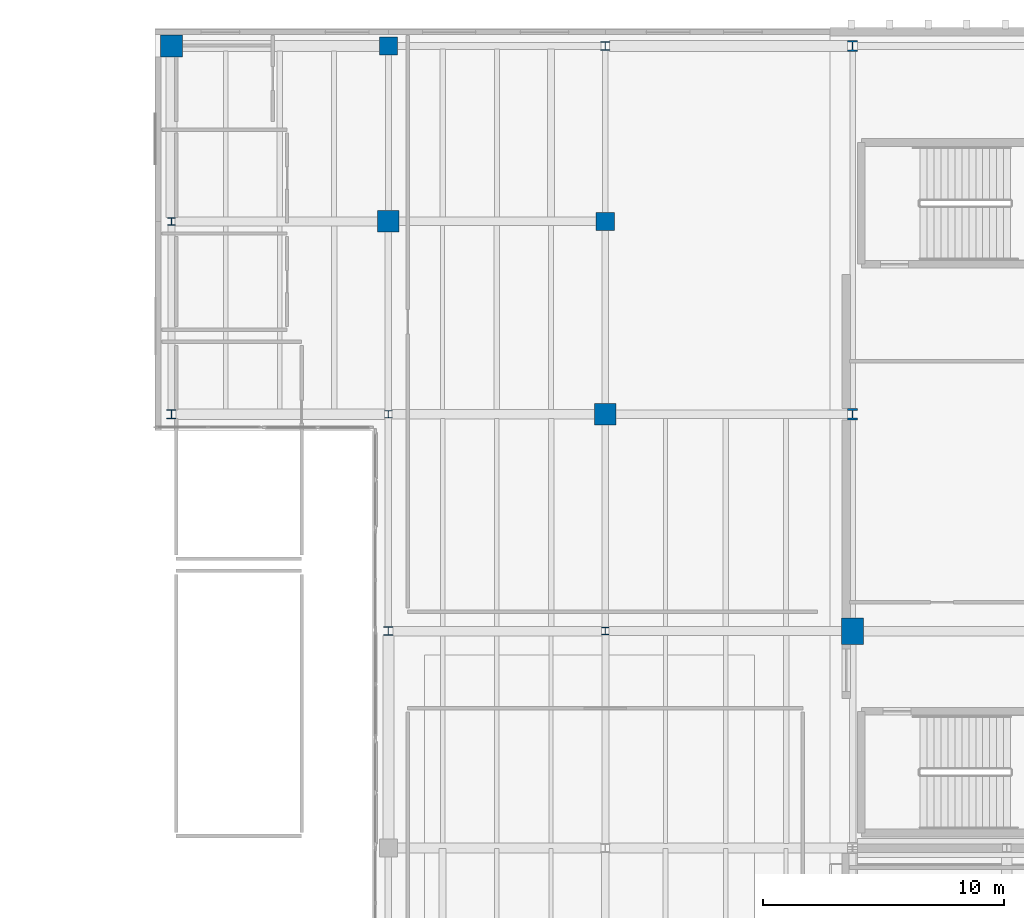
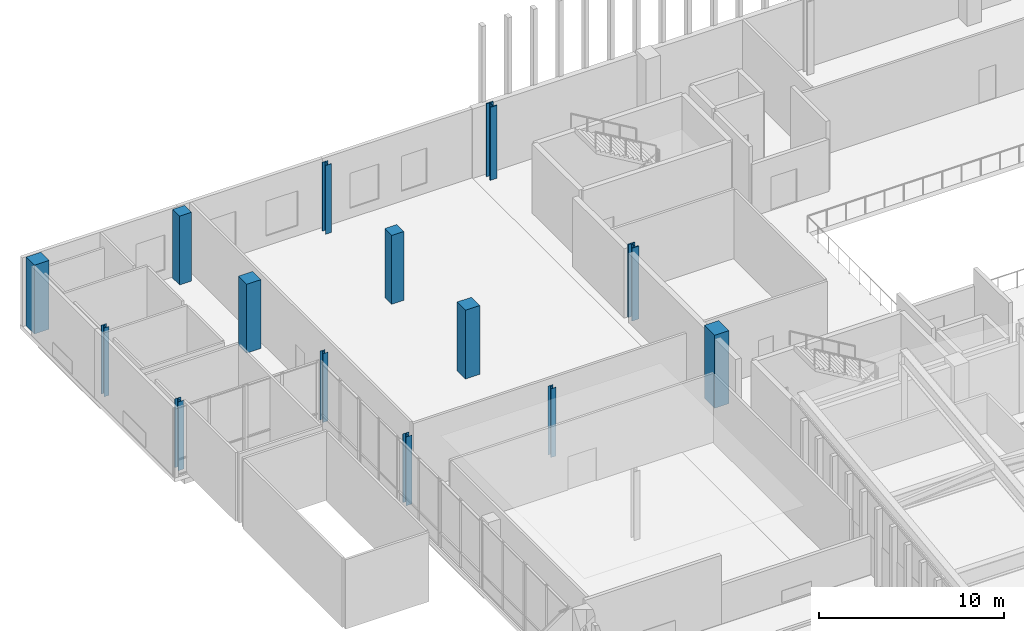
# One storey, part 6 of 30: 14 columns.
"""IFC4 building model written with IfcOpenShell, lengths in metres."""

from ifc_helpers import new_model, si_unit, direction, frame, origin, origin_2d, place, context, subcontext, project, spatial, rectangle, i_section, extrude, material, material_profile, profile_set, type_object, element, save


model = new_model("IFC4")

# Units and contexts
model_context = context("Model", 3, precision=1e-05, world=origin(), true_north=direction((0.0, 1.0)))
body_context = subcontext(model_context, "Body", "Model", "MODEL_VIEW")
ifc_project = project(units=[si_unit("LENGTHUNIT", "METRE"), si_unit("AREAUNIT", "SQUARE_METRE"), si_unit("VOLUMEUNIT", "CUBIC_METRE"), si_unit("PLANEANGLEUNIT", "RADIAN"), si_unit("MASSUNIT", "GRAM", prefix="KILO")], contexts=[model_context])

# Site, building, storey
site_placement = place(None, origin())
site = spatial("IfcSite", under=ifc_project, at=site_placement, CompositionType="ELEMENT")
building_placement = place(site_placement, origin())
building = spatial("IfcBuilding", under=site, at=building_placement, Name="Trimount Lyric Opera House", CompositionType="ELEMENT")
storey_placement = place(building_placement, frame((0.0, 0.0, 24.800048828125)))
storey = spatial("IfcBuildingStorey", under=building, at=storey_placement, Name="L05", CompositionType="ELEMENT", Elevation=24.800048828125)

# Columns
ifc_material_1 = material(Name="Steel ASTM A992 Grade 50", Category="steel")
ifc_material_profile_1 = material_profile(ifc_material_1, i_section(OverallWidth=0.422119140625, OverallDepth=0.465087890625, WebThickness=0.044921875, FlangeThickness=0.072509765625, FilletRadius=0.02001953125, at=origin_2d()), Name="W14X398")
ifc_profile_set_1 = profile_set([ifc_material_profile_1], Name="Steel ASTM A992 Grade 50")
column_type_1 = type_object("IfcColumnType", Name="C-01", PredefinedType="COLUMN", material=ifc_profile_set_1)
for number, where, z_axis, x_axis, name in (
    (1, (64.260009765625, 102.0, 0.0), (0.0, 0.0, 1.0), (1.0, 0.0, 0.0), "L05 column 8/M"),
    (2, (64.260009765625, 117.280029296875, 0.0), (0.0, 0.0, 1.0), (1.0, 0.0, 0.0), "L05 column 8/P"),
):
    element("IfcColumn", number, at=place(storey_placement, frame(where, z_axis=z_axis, x_axis=x_axis)), inside=storey, type_object=column_type_1, Name=name, PredefinedType="COLUMN", context=body_context, shape_type="SweptSolid", body=[
        extrude(i_section(OverallWidth=0.422119140625, OverallDepth=0.465087890625, WebThickness=0.044921875, FlangeThickness=0.072509765625, FilletRadius=0.02001953125, at=origin_2d()), origin(), (0.0, 0.0, 1.0), 4.800048828125),
    ])
ifc_material_2 = material(Name="Steel ASTM A992 Grade 50", Category="steel")
ifc_material_profile_2 = material_profile(ifc_material_2, i_section(OverallWidth=0.304931640625, OverallDepth=0.306884765625, WebThickness=0.010009765625, FlangeThickness=0.015380859375, FilletRadius=0.012939453125, at=origin_2d()), Name="W12X65")
ifc_profile_set_2 = profile_set([ifc_material_profile_2], Name="Steel ASTM A992 Grade 50")
column_type_2 = type_object("IfcColumnType", Name="C-06", PredefinedType="COLUMN", material=ifc_profile_set_2)
for number, where, z_axis, x_axis, name in (
    (3, (36.0, 110.0, 0.0), (0.0, 0.0, 1.0), (1.0, 0.0, 0.0), "L05 column 5/N"),
    (4, (45.0, 102.0, 0.0), (0.0, 0.0, 1.0), (1.0, 0.0, 0.0), "L05 column 6/M"),
    (5, (54.0, 93.0, 0.0), (0.0, 0.0, 1.0), (1.0, 0.0, 0.0), "L05 column 7/L"),
):
    element("IfcColumn", number, at=place(storey_placement, frame(where, z_axis=z_axis, x_axis=x_axis)), inside=storey, type_object=column_type_2, Name=name, PredefinedType="COLUMN", context=body_context, shape_type="SweptSolid", body=[
        extrude(i_section(OverallWidth=0.304931640625, OverallDepth=0.306884765625, WebThickness=0.010009765625, FlangeThickness=0.015380859375, FilletRadius=0.012939453125, at=origin_2d()), origin(), (0.0, 0.0, 1.0), 4.530029296875),
    ])
ifc_material_3 = material(Name="Steel ASTM A992 Grade 50", Category="steel")
ifc_material_profile_3 = material_profile(ifc_material_3, i_section(OverallWidth=0.367919921875, OverallDepth=0.35595703125, WebThickness=0.01123046875, FlangeThickness=0.01806640625, FilletRadius=0.014892578125, at=origin_2d()), Name="W14X90")
ifc_profile_set_3 = profile_set([ifc_material_profile_3], Name="Steel ASTM A992 Grade 50")
column_type_3 = type_object("IfcColumnType", Name="C-09", PredefinedType="COLUMN", material=ifc_profile_set_3)
for number, where, z_axis, x_axis, name in (
    (6, (36.0, 102.0, 0.0), (0.0, 0.0, 1.0), (1.0, 0.0, 0.0), "L05 column 5/M"),
    (7, (45.0, 93.0, 0.0), (0.0, 0.0, 1.0), (1.0, 0.0, 0.0), "L05 column 6/L"),
    (8, (54.0, 117.280029296875, 0.0), (0.0, 0.0, 1.0), (1.0, 0.0, 0.0), "L05 column 7/P"),
):
    element("IfcColumn", number, at=place(storey_placement, frame(where, z_axis=z_axis, x_axis=x_axis)), inside=storey, type_object=column_type_3, Name=name, PredefinedType="COLUMN", context=body_context, shape_type="SweptSolid", body=[
        extrude(i_section(OverallWidth=0.367919921875, OverallDepth=0.35595703125, WebThickness=0.01123046875, FlangeThickness=0.01806640625, FilletRadius=0.014892578125, at=origin_2d()), origin(), (0.0, 0.0, 1.0), 4.530029296875),
    ])
ifc_material_4 = material(Name="Concrete C50/60", Category="concrete")
ifc_material_profile_4 = material_profile(ifc_material_4, rectangle(XDim=0.89990234375, YDim=1.10009765625, at=origin_2d()), Name="RC1100X900")
ifc_profile_set_4 = profile_set([ifc_material_profile_4], Name="Concrete C50/60")
column_type_4 = type_object("IfcColumnType", Name="C-11", PredefinedType="COLUMN", material=ifc_profile_set_4)
column_placement = place(storey_placement, frame((64.260009765625, 93.0, 0.0), z_axis=(0.0, 0.0, 1.0), x_axis=(1.0, 0.0, 0.0)))
element("IfcColumn", 9, at=column_placement, inside=storey, type_object=column_type_4, Name="L05 column 8/L", PredefinedType="COLUMN", context=body_context, shape_type="SweptSolid", body=[
    extrude(rectangle(XDim=0.89990234375, YDim=1.10009765625, at=origin_2d()), origin(), (0.0, 0.0, 1.0), 4.800048828125),
])
ifc_material_5 = material(Name="Concrete C50/60", Category="concrete")
ifc_material_profile_5 = material_profile(ifc_material_5, rectangle(XDim=0.89990234375, YDim=0.89990234375, at=origin_2d()), Name="RC900X900")
ifc_profile_set_5 = profile_set([ifc_material_profile_5], Name="Concrete C50/60")
column_type_5 = type_object("IfcColumnType", Name="C-13", PredefinedType="COLUMN", material=ifc_profile_set_5)
for number, where, z_axis, x_axis, name in (
    (10, (36.0, 117.280029296875, 0.0), (0.0, 0.0, 1.0), (1.0, 0.0, 0.0), "L05 column 5/P"),
    (11, (45.0, 110.0, 0.0), (0.0, 0.0, 1.0), (1.0, 0.0, 0.0), "L05 column 6/N"),
    (12, (54.0, 102.0, 0.0), (0.0, 0.0, 1.0), (1.0, 0.0, 0.0), "L05 column 7/M"),
):
    element("IfcColumn", number, at=place(storey_placement, frame(where, z_axis=z_axis, x_axis=x_axis)), inside=storey, type_object=column_type_5, Name=name, PredefinedType="COLUMN", context=body_context, shape_type="SweptSolid", body=[
        extrude(rectangle(XDim=0.89990234375, YDim=0.89990234375, at=origin_2d()), origin(), (0.0, 0.0, 1.0), 4.530029296875),
    ])
ifc_material_6 = material(Name="Concrete C40/50", Category="concrete")
ifc_material_profile_6 = material_profile(ifc_material_6, rectangle(XDim=0.75, YDim=0.75, at=origin_2d()), Name="RC750X750")
ifc_profile_set_6 = profile_set([ifc_material_profile_6], Name="Concrete C40/50")
column_type_6 = type_object("IfcColumnType", Name="C-15", PredefinedType="COLUMN", material=ifc_profile_set_6)
for number, where, z_axis, x_axis, name in (
    (13, (45.0, 117.280029296875, 0.0), (0.0, 0.0, 1.0), (1.0, 0.0, 0.0), "L05 column 6/P"),
    (14, (54.0, 110.0, 0.0), (0.0, 0.0, 1.0), (1.0, 0.0, 0.0), "L05 column 7/N"),
):
    element("IfcColumn", number, at=place(storey_placement, frame(where, z_axis=z_axis, x_axis=x_axis)), inside=storey, type_object=column_type_6, Name=name, PredefinedType="COLUMN", context=body_context, shape_type="SweptSolid", body=[
        extrude(rectangle(XDim=0.75, YDim=0.75, at=origin_2d()), origin(), (0.0, 0.0, 1.0), 4.530029296875),
    ])

save(model, "model.ifc")
